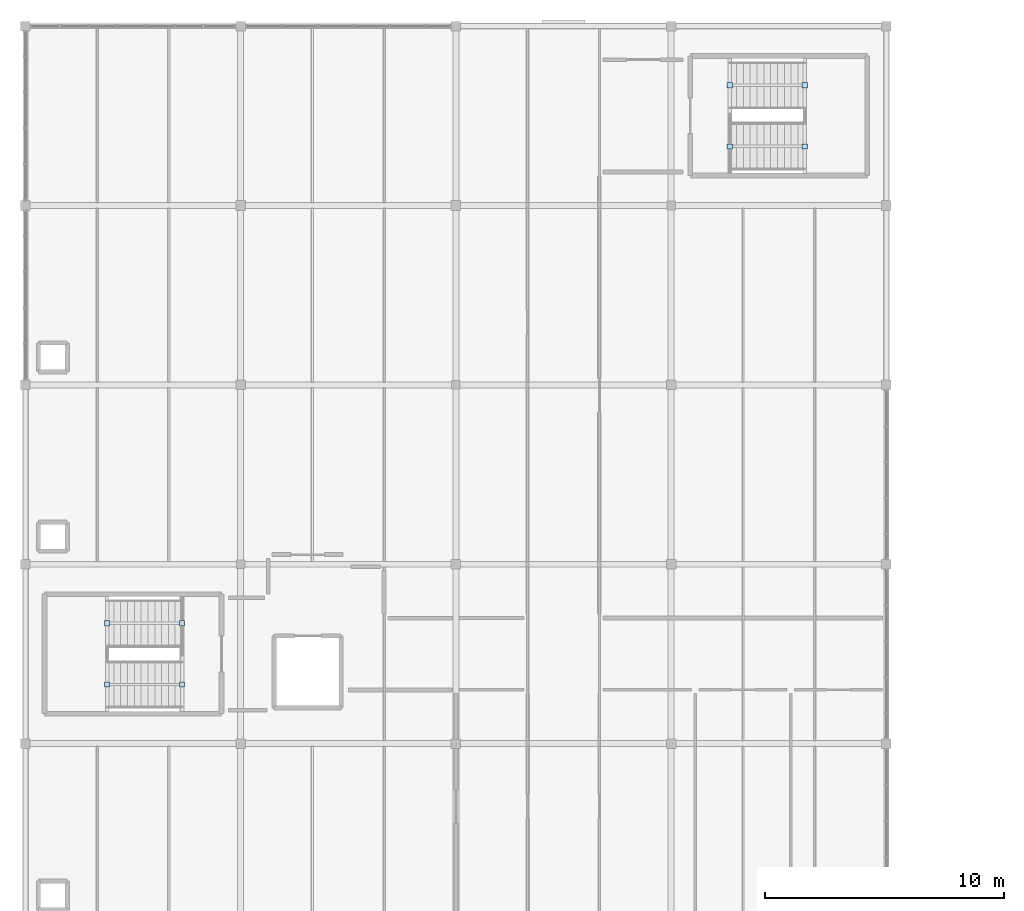
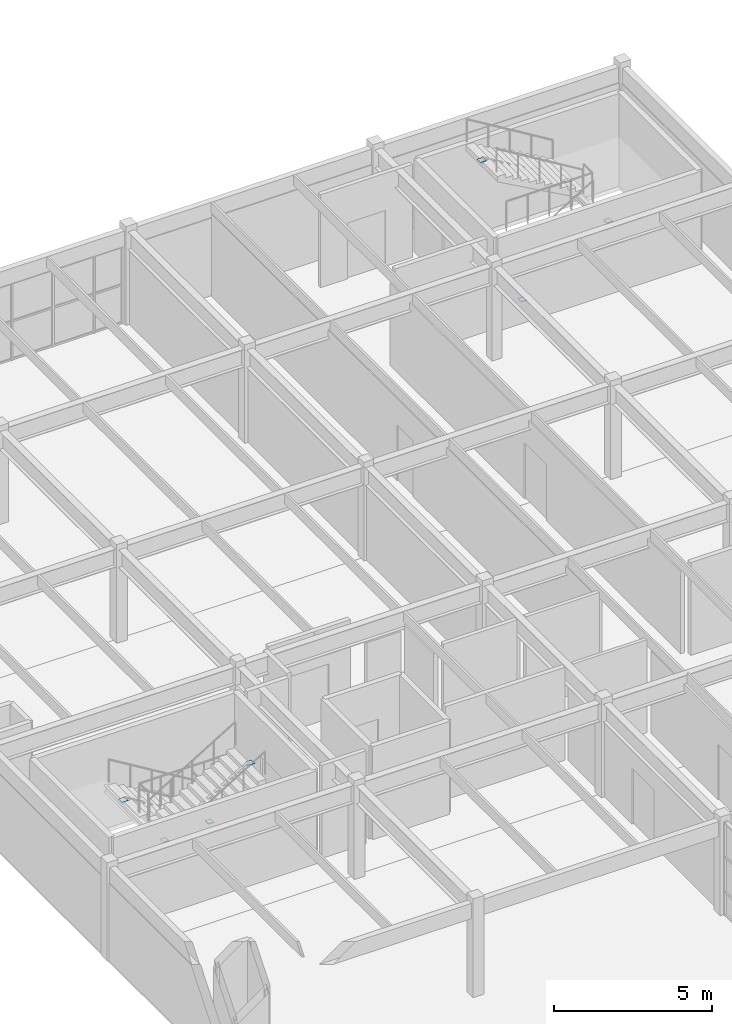
# One storey, part 67 of 81: 8 plates.
"""IFC4 building model written with IfcOpenShell, lengths in metres."""

from ifc_helpers import new_model, si_unit, direction, frame, origin, origin_2d, place, context, subcontext, project, spatial, rectangle, extrude, material, layer, layer_set, type_object, element, save


model = new_model("IFC4")

# Units and contexts
model_context = context("Model", 3, precision=1e-05, world=origin(), true_north=direction((0.0, 1.0)))
body_context = subcontext(model_context, "Body", "Model", "MODEL_VIEW")
ifc_project = project(units=[si_unit("LENGTHUNIT", "METRE"), si_unit("AREAUNIT", "SQUARE_METRE"), si_unit("VOLUMEUNIT", "CUBIC_METRE"), si_unit("PLANEANGLEUNIT", "RADIAN"), si_unit("MASSUNIT", "GRAM", prefix="KILO")], contexts=[model_context])

# Site, building, storey
site_placement = place(None, origin())
site = spatial("IfcSite", under=ifc_project, at=site_placement, CompositionType="ELEMENT")
building_placement = place(site_placement, origin())
building = spatial("IfcBuilding", under=site, at=building_placement, Name="Marnridge Secondary College", CompositionType="ELEMENT")
storey_placement = place(building_placement, frame((0.0, 0.0, 8.5)))
storey = spatial("IfcBuildingStorey", under=building, at=storey_placement, Name="L02", CompositionType="ELEMENT", Elevation=8.5)

# Plates
ifc_material = material(Name="Structural steel plate Grade 350 (AS/NZS 3678, fy = 350 MPa <=12mm, 340 MPa 12-20mm, 330 MPa 20-50mm)", Category="steel")
ifc_layer = layer(ifc_material, 0.010009765625)
ifc_layer_set = layer_set([ifc_layer], Name="PT-CAP-INT")
plate_type = type_object("IfcPlateType", Name="PT-CAP-INT", PredefinedType="SHEET", material=ifc_layer_set)
for number, where, z_axis, x_axis, name in (
    (1, (6.54833984375, 95.030029296875, -0.15185546875), (0.0, 0.0, 1.0), (-1.0, 0.0, 0.0), "Tube end cap STR-041-EC1"),
    (2, (3.416748046875, 95.030029296875, 1.7861328125), (0.0, 0.0, 1.0), (-1.0, 0.0, 0.0), "Tube end cap STR-041-EC2"),
    (3, (3.416748046875, 92.469970703125, 1.7880859375), (0.0, 0.0, 1.0), (1.0, 0.0, 0.0), "Tube end cap STR-042-EC1"),
    (4, (6.54833984375, 92.469970703125, 3.666015625), (0.0, 0.0, 1.0), (1.0, 0.0, 0.0), "Tube end cap STR-042-EC2"),
    (5, (29.45166015625, 114.969970703125, -0.15185546875), (0.0, 0.0, 1.0), (1.0, 0.0, 0.0), "Tube end cap STR-047-EC1"),
    (6, (32.583251953125, 114.969970703125, 1.7861328125), (0.0, 0.0, 1.0), (1.0, 0.0, 0.0), "Tube end cap STR-047-EC2"),
    (7, (32.583251953125, 117.530029296875, 1.7880859375), (0.0, 0.0, 1.0), (-1.0, 0.0, 0.0), "Tube end cap STR-048-EC1"),
    (8, (29.45166015625, 117.530029296875, 3.666015625), (0.0, 0.0, 1.0), (-1.0, 0.0, 0.0), "Tube end cap STR-048-EC2"),
):
    element("IfcPlate", number, at=place(storey_placement, frame(where, z_axis=z_axis, x_axis=x_axis)), inside=storey, type_object=plate_type, Name=name, PredefinedType="SHEET", context=body_context, shape_type="SweptSolid", body=[
        extrude(rectangle(XDim=0.219970703125, YDim=0.219970703125, at=origin_2d()), origin(), (0.0, 0.0, 1.0), 0.010009765625),
    ])

save(model, "model.ifc")
